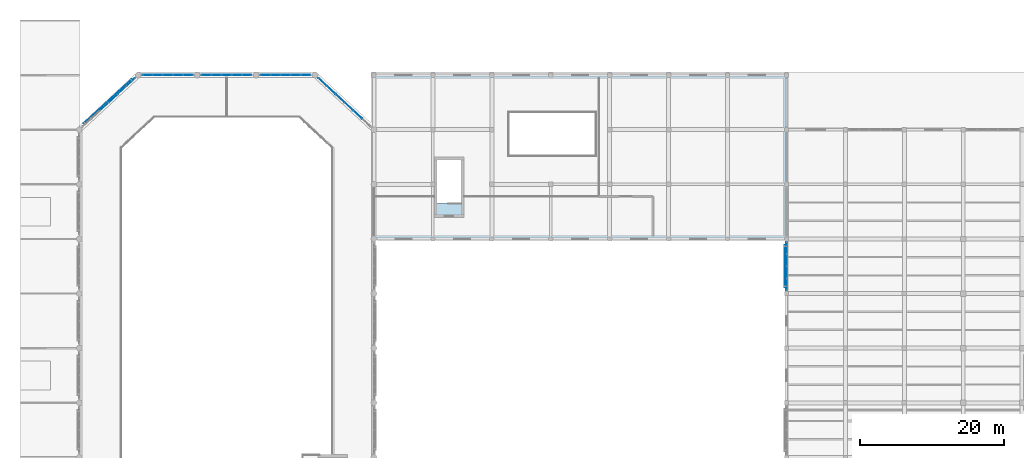
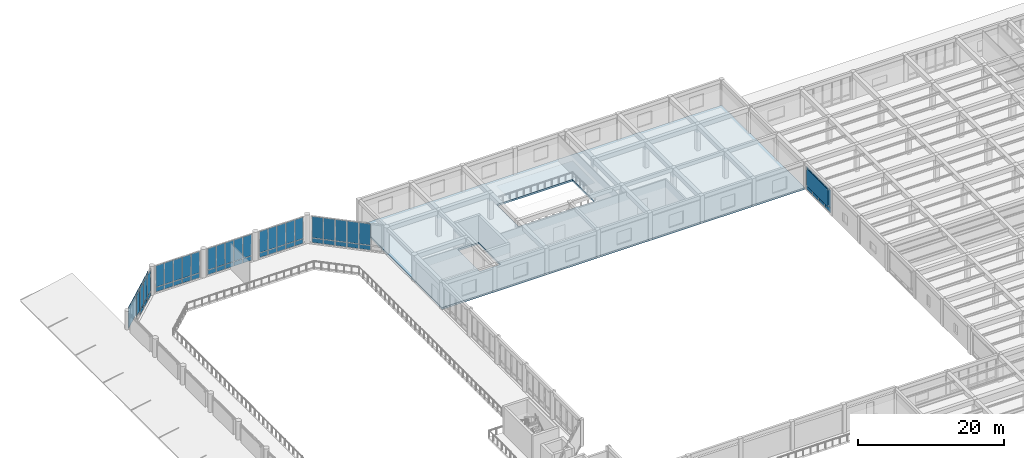
# One storey, part 32 of 57: 57 plates, 1 slab, 6 elements without a shape of their own.
"""IFC4 building model written with IfcOpenShell, lengths in metres."""

from ifc_helpers import new_model, si_unit, direction, frame, origin, origin_2d, place, context, subcontext, project, spatial, polyline, rectangle, outline, extrude, material, layer, layer_set, type_object, element, aggregate, save


model = new_model("IFC4")

# Units and contexts
model_context = context("Model", 3, precision=1e-05, world=origin(), true_north=direction((0.0, 1.0)))
body_context = subcontext(model_context, "Body", "Model", "MODEL_VIEW")
ifc_project = project(units=[si_unit("LENGTHUNIT", "METRE"), si_unit("AREAUNIT", "SQUARE_METRE"), si_unit("VOLUMEUNIT", "CUBIC_METRE"), si_unit("PLANEANGLEUNIT", "RADIAN"), si_unit("MASSUNIT", "GRAM", prefix="KILO")], contexts=[model_context])

# Site, building, storey
site_placement = place(None, origin())
site = spatial("IfcSite", under=ifc_project, at=site_placement, CompositionType="ELEMENT")
building_placement = place(site_placement, origin())
building = spatial("IfcBuilding", under=site, at=building_placement, Name="Qandaris Square Conservatory and Botanical Centre", CompositionType="ELEMENT")
storey_placement = place(building_placement, frame((0.0, 0.0, 5.39990234375)))
storey = spatial("IfcBuildingStorey", under=building, at=storey_placement, Name="L01", CompositionType="ELEMENT", Elevation=5.39990234375)

# Curtain wall, plates
ifc_material_1 = material(Name="Anodised Aluminium", Category="aluminium")
curtain_wall_type_1 = type_object("IfcCurtainWallType", Name="Unitised Curtain Wall CW-1-1002x452", PredefinedType="USERDEFINED", material=ifc_material_1)
curtain_wall_1_placement = place(storey_placement, origin())
curtain_wall_1 = element("IfcCurtainWall", 1, at=curtain_wall_1_placement, inside=storey, type_object=curtain_wall_type_1, Name="Curtain Wall CW-CON-L01-4-1", ObjectType="GLAZED CURTAIN WALL", PredefinedType="USERDEFINED")
ifc_material_2 = material(Name="Tempered Low-E Glass", Category="glass")
ifc_layer_1 = layer(ifc_material_2, 0.0400390625)
ifc_layer_set_1 = layer_set([ifc_layer_1], Name="Tempered Low-E Glass")
plate_type_1 = type_object("IfcPlateType", Name="Conservatory Laminated Low-Iron Biome Glass 40mm", PredefinedType="CURTAIN_PANEL", material=ifc_layer_set_1)
plate_1_placement = place(storey_placement, frame((54.937255859375, 109.897216796875, 0.0751953125), z_axis=(0.0, 0.0, 1.0), x_axis=(-0.733432966404, 0.679761784592, 0.0)))
plate_1 = element("IfcPlate", 2, at=plate_1_placement, type_object=plate_type_1, Name="CW-1-1002x452 panel 2.1", PredefinedType="CURTAIN_PANEL", context=body_context, shape_type="SweptSolid", body=[
    extrude(rectangle(XDim=1.594970703125, YDim=0.0400390625, at=origin_2d()), origin(), (0.0, 0.0, 1.0), 0.737548828125),
])
plate_2_placement = place(storey_placement, frame((54.937255859375, 109.897216796875, 0.887451171875), z_axis=(0.0, 0.0, 1.0), x_axis=(-0.733432966404, 0.679761784592, 0.0)))
plate_2 = element("IfcPlate", 3, at=plate_2_placement, type_object=plate_type_1, Name="CW-1-1002x452 panel 2.2", PredefinedType="CURTAIN_PANEL", context=body_context, shape_type="SweptSolid", body=[
    extrude(rectangle(XDim=1.594970703125, YDim=0.0400390625, at=origin_2d()), origin(), (0.0, 0.0, 1.0), 3.5576171875),
])
plate_3_placement = place(storey_placement, frame((53.71240234375, 111.032470703125, 0.0751953125), z_axis=(0.0, 0.0, 1.0), x_axis=(-0.733432966404, 0.679761784592, 0.0)))
plate_3 = element("IfcPlate", 4, at=plate_3_placement, type_object=plate_type_1, Name="CW-1-1002x452 panel 3.1", PredefinedType="CURTAIN_PANEL", context=body_context, shape_type="SweptSolid", body=[
    extrude(rectangle(XDim=1.594970703125, YDim=0.0400390625, at=origin_2d()), origin(), (0.0, 0.0, 1.0), 0.737548828125),
])
plate_4_placement = place(storey_placement, frame((53.71240234375, 111.032470703125, 0.887451171875), z_axis=(0.0, 0.0, 1.0), x_axis=(-0.733432966404, 0.679761784592, 0.0)))
plate_4 = element("IfcPlate", 5, at=plate_4_placement, type_object=plate_type_1, Name="CW-1-1002x452 panel 3.2", PredefinedType="CURTAIN_PANEL", context=body_context, shape_type="SweptSolid", body=[
    extrude(rectangle(XDim=1.594970703125, YDim=0.0400390625, at=origin_2d()), origin(), (0.0, 0.0, 1.0), 3.5576171875),
])
plate_5_placement = place(storey_placement, frame((52.487548828125, 112.167724609375, 0.0751953125), z_axis=(0.0, 0.0, 1.0), x_axis=(-0.733432966404, 0.679761784592, 0.0)))
plate_5 = element("IfcPlate", 6, at=plate_5_placement, type_object=plate_type_1, Name="CW-1-1002x452 panel 4.1", PredefinedType="CURTAIN_PANEL", context=body_context, shape_type="SweptSolid", body=[
    extrude(rectangle(XDim=1.594970703125, YDim=0.0400390625, at=origin_2d()), origin(), (0.0, 0.0, 1.0), 0.737548828125),
])
plate_6_placement = place(storey_placement, frame((52.487548828125, 112.167724609375, 0.887451171875), z_axis=(0.0, 0.0, 1.0), x_axis=(-0.733432966404, 0.679761784592, 0.0)))
plate_6 = element("IfcPlate", 7, at=plate_6_placement, type_object=plate_type_1, Name="CW-1-1002x452 panel 4.2", PredefinedType="CURTAIN_PANEL", context=body_context, shape_type="SweptSolid", body=[
    extrude(rectangle(XDim=1.594970703125, YDim=0.0400390625, at=origin_2d()), origin(), (0.0, 0.0, 1.0), 3.5576171875),
])
plate_7_placement = place(storey_placement, frame((51.2626953125, 113.302734375, 0.0751953125), z_axis=(0.0, 0.0, 1.0), x_axis=(-0.733432966404, 0.679761784592, 0.0)))
plate_7 = element("IfcPlate", 8, at=plate_7_placement, type_object=plate_type_1, Name="CW-1-1002x452 panel 5.1", PredefinedType="CURTAIN_PANEL", context=body_context, shape_type="SweptSolid", body=[
    extrude(rectangle(XDim=1.594970703125, YDim=0.0400390625, at=origin_2d()), origin(), (0.0, 0.0, 1.0), 0.737548828125),
])
plate_8_placement = place(storey_placement, frame((51.2626953125, 113.302734375, 0.887451171875), z_axis=(0.0, 0.0, 1.0), x_axis=(-0.733432966404, 0.679761784592, 0.0)))
plate_8 = element("IfcPlate", 9, at=plate_8_placement, type_object=plate_type_1, Name="CW-1-1002x452 panel 5.2", PredefinedType="CURTAIN_PANEL", context=body_context, shape_type="SweptSolid", body=[
    extrude(rectangle(XDim=1.594970703125, YDim=0.0400390625, at=origin_2d()), origin(), (0.0, 0.0, 1.0), 3.5576171875),
])
plate_9_placement = place(storey_placement, frame((50.051513671875, 114.42529296875, 0.0751953125), z_axis=(0.0, 0.0, 1.0), x_axis=(-0.733432966404, 0.679761784592, 0.0)))
plate_9 = element("IfcPlate", 10, at=plate_9_placement, type_object=plate_type_1, Name="CW-1-1002x452 panel 6.1", PredefinedType="CURTAIN_PANEL", context=body_context, shape_type="SweptSolid", body=[
    extrude(rectangle(XDim=1.5576171875, YDim=0.0400390625, at=origin_2d()), origin(), (0.0, 0.0, 1.0), 0.737548828125),
])
plate_10_placement = place(storey_placement, frame((50.051513671875, 114.42529296875, 0.887451171875), z_axis=(0.0, 0.0, 1.0), x_axis=(-0.733432966404, 0.679761784592, 0.0)))
plate_10 = element("IfcPlate", 11, at=plate_10_placement, type_object=plate_type_1, Name="CW-1-1002x452 panel 6.2", PredefinedType="CURTAIN_PANEL", context=body_context, shape_type="SweptSolid", body=[
    extrude(rectangle(XDim=1.5576171875, YDim=0.0400390625, at=origin_2d()), origin(), (0.0, 0.0, 1.0), 3.5576171875),
])
aggregate(curtain_wall_1, [plate_1, plate_2, plate_3, plate_4, plate_5, plate_6, plate_7, plate_8, plate_9, plate_10])

curtain_wall_type_2 = type_object("IfcCurtainWallType", Name="Unitised Curtain Wall CW-1-704x452", PredefinedType="USERDEFINED", material=ifc_material_1)
curtain_wall_2_placement = place(storey_placement, origin())
curtain_wall_2 = element("IfcCurtainWall", 12, at=curtain_wall_2_placement, inside=storey, type_object=curtain_wall_type_2, Name="Curtain Wall CW-CON-L01-5-1", ObjectType="GLAZED CURTAIN WALL", PredefinedType="USERDEFINED")
plate_11_placement = place(storey_placement, frame((47.697265625, 115.39990234375, 0.0751953125), z_axis=(0.0, 0.0, 1.0), x_axis=(-1.0, 0.0, 0.0)))
plate_11 = element("IfcPlate", 13, at=plate_11_placement, type_object=plate_type_1, Name="CW-1-704x452 panel 1.1", PredefinedType="CURTAIN_PANEL", context=body_context, shape_type="SweptSolid", body=[
    extrude(rectangle(XDim=1.29541015625, YDim=0.0400390625, at=origin_2d()), origin(), (0.0, 0.0, 1.0), 0.737548828125),
])
plate_12_placement = place(storey_placement, frame((47.697265625, 115.39990234375, 0.887451171875), z_axis=(0.0, 0.0, 1.0), x_axis=(-1.0, 0.0, 0.0)))
plate_12 = element("IfcPlate", 14, at=plate_12_placement, type_object=plate_type_1, Name="CW-1-704x452 panel 1.2", PredefinedType="CURTAIN_PANEL", context=body_context, shape_type="SweptSolid", body=[
    extrude(rectangle(XDim=1.29541015625, YDim=0.0400390625, at=origin_2d()), origin(), (0.0, 0.0, 1.0), 3.5576171875),
])
plate_13_placement = place(storey_placement, frame((46.30810546875, 115.39990234375, 0.0751953125), z_axis=(0.0, 0.0, 1.0), x_axis=(-1.0, 0.0, 0.0)))
plate_13 = element("IfcPlate", 15, at=plate_13_placement, type_object=plate_type_1, Name="CW-1-704x452 panel 2.1", PredefinedType="CURTAIN_PANEL", context=body_context, shape_type="SweptSolid", body=[
    extrude(rectangle(XDim=1.3330078125, YDim=0.0400390625, at=origin_2d()), origin(), (0.0, 0.0, 1.0), 0.737548828125),
])
plate_14_placement = place(storey_placement, frame((46.30810546875, 115.39990234375, 0.887451171875), z_axis=(0.0, 0.0, 1.0), x_axis=(-1.0, 0.0, 0.0)))
plate_14 = element("IfcPlate", 16, at=plate_14_placement, type_object=plate_type_1, Name="CW-1-704x452 panel 2.2", PredefinedType="CURTAIN_PANEL", context=body_context, shape_type="SweptSolid", body=[
    extrude(rectangle(XDim=1.3330078125, YDim=0.0400390625, at=origin_2d()), origin(), (0.0, 0.0, 1.0), 3.5576171875),
])
plate_15_placement = place(storey_placement, frame((44.89990234375, 115.39990234375, 0.0751953125), z_axis=(0.0, 0.0, 1.0), x_axis=(-1.0, 0.0, 0.0)))
plate_15 = element("IfcPlate", 17, at=plate_15_placement, type_object=plate_type_1, Name="CW-1-704x452 panel 3.1", PredefinedType="CURTAIN_PANEL", context=body_context, shape_type="SweptSolid", body=[
    extrude(rectangle(XDim=1.3330078125, YDim=0.0400390625, at=origin_2d()), origin(), (0.0, 0.0, 1.0), 0.737548828125),
])
plate_16_placement = place(storey_placement, frame((44.89990234375, 115.39990234375, 0.887451171875), z_axis=(0.0, 0.0, 1.0), x_axis=(-1.0, 0.0, 0.0)))
plate_16 = element("IfcPlate", 18, at=plate_16_placement, type_object=plate_type_1, Name="CW-1-704x452 panel 3.2", PredefinedType="CURTAIN_PANEL", context=body_context, shape_type="SweptSolid", body=[
    extrude(rectangle(XDim=1.3330078125, YDim=0.0400390625, at=origin_2d()), origin(), (0.0, 0.0, 1.0), 3.5576171875),
])
plate_17_placement = place(storey_placement, frame((43.491943359375, 115.39990234375, 0.0751953125), z_axis=(0.0, 0.0, 1.0), x_axis=(-1.0, 0.0, 0.0)))
plate_17 = element("IfcPlate", 19, at=plate_17_placement, type_object=plate_type_1, Name="CW-1-704x452 panel 4.1", PredefinedType="CURTAIN_PANEL", context=body_context, shape_type="SweptSolid", body=[
    extrude(rectangle(XDim=1.3330078125, YDim=0.0400390625, at=origin_2d()), origin(), (0.0, 0.0, 1.0), 0.737548828125),
])
plate_18_placement = place(storey_placement, frame((43.491943359375, 115.39990234375, 0.887451171875), z_axis=(0.0, 0.0, 1.0), x_axis=(-1.0, 0.0, 0.0)))
plate_18 = element("IfcPlate", 20, at=plate_18_placement, type_object=plate_type_1, Name="CW-1-704x452 panel 4.2", PredefinedType="CURTAIN_PANEL", context=body_context, shape_type="SweptSolid", body=[
    extrude(rectangle(XDim=1.3330078125, YDim=0.0400390625, at=origin_2d()), origin(), (0.0, 0.0, 1.0), 3.5576171875),
])
plate_19_placement = place(storey_placement, frame((42.102783203125, 115.39990234375, 0.0751953125), z_axis=(0.0, 0.0, 1.0), x_axis=(-1.0, 0.0, 0.0)))
plate_19 = element("IfcPlate", 21, at=plate_19_placement, type_object=plate_type_1, Name="CW-1-704x452 panel 5.1", PredefinedType="CURTAIN_PANEL", context=body_context, shape_type="SweptSolid", body=[
    extrude(rectangle(XDim=1.29541015625, YDim=0.0400390625, at=origin_2d()), origin(), (0.0, 0.0, 1.0), 0.737548828125),
])
plate_20_placement = place(storey_placement, frame((42.102783203125, 115.39990234375, 0.887451171875), z_axis=(0.0, 0.0, 1.0), x_axis=(-1.0, 0.0, 0.0)))
plate_20 = element("IfcPlate", 22, at=plate_20_placement, type_object=plate_type_1, Name="CW-1-704x452 panel 5.2", PredefinedType="CURTAIN_PANEL", context=body_context, shape_type="SweptSolid", body=[
    extrude(rectangle(XDim=1.29541015625, YDim=0.0400390625, at=origin_2d()), origin(), (0.0, 0.0, 1.0), 3.5576171875),
])
aggregate(curtain_wall_2, [plate_11, plate_12, plate_13, plate_14, plate_15, plate_16, plate_17, plate_18, plate_19, plate_20])

curtain_wall_3_placement = place(storey_placement, origin())
curtain_wall_3 = element("IfcCurtainWall", 23, at=curtain_wall_3_placement, inside=storey, type_object=curtain_wall_type_2, Name="Curtain Wall CW-CON-L01-5-2", ObjectType="GLAZED CURTAIN WALL", PredefinedType="USERDEFINED")
plate_21_placement = place(storey_placement, frame((39.497314453125, 115.39990234375, 0.0751953125), z_axis=(0.0, 0.0, 1.0), x_axis=(-1.0, 0.0, 0.0)))
plate_21 = element("IfcPlate", 24, at=plate_21_placement, type_object=plate_type_1, Name="CW-1-704x452 panel 1.1", PredefinedType="CURTAIN_PANEL", context=body_context, shape_type="SweptSolid", body=[
    extrude(rectangle(XDim=1.29541015625, YDim=0.0400390625, at=origin_2d()), origin(), (0.0, 0.0, 1.0), 0.737548828125),
])
plate_22_placement = place(storey_placement, frame((39.497314453125, 115.39990234375, 0.887451171875), z_axis=(0.0, 0.0, 1.0), x_axis=(-1.0, 0.0, 0.0)))
plate_22 = element("IfcPlate", 25, at=plate_22_placement, type_object=plate_type_1, Name="CW-1-704x452 panel 1.2", PredefinedType="CURTAIN_PANEL", context=body_context, shape_type="SweptSolid", body=[
    extrude(rectangle(XDim=1.29541015625, YDim=0.0400390625, at=origin_2d()), origin(), (0.0, 0.0, 1.0), 3.5576171875),
])
plate_23_placement = place(storey_placement, frame((38.10791015625, 115.39990234375, 0.0751953125), z_axis=(0.0, 0.0, 1.0), x_axis=(-1.0, 0.0, 0.0)))
plate_23 = element("IfcPlate", 26, at=plate_23_placement, type_object=plate_type_1, Name="CW-1-704x452 panel 2.1", PredefinedType="CURTAIN_PANEL", context=body_context, shape_type="SweptSolid", body=[
    extrude(rectangle(XDim=1.3330078125, YDim=0.0400390625, at=origin_2d()), origin(), (0.0, 0.0, 1.0), 0.737548828125),
])
plate_24_placement = place(storey_placement, frame((38.10791015625, 115.39990234375, 0.887451171875), z_axis=(0.0, 0.0, 1.0), x_axis=(-1.0, 0.0, 0.0)))
plate_24 = element("IfcPlate", 27, at=plate_24_placement, type_object=plate_type_1, Name="CW-1-704x452 panel 2.2", PredefinedType="CURTAIN_PANEL", context=body_context, shape_type="SweptSolid", body=[
    extrude(rectangle(XDim=1.3330078125, YDim=0.0400390625, at=origin_2d()), origin(), (0.0, 0.0, 1.0), 3.5576171875),
])
plate_25_placement = place(storey_placement, frame((36.699951171875, 115.39990234375, 0.0751953125), z_axis=(0.0, 0.0, 1.0), x_axis=(-1.0, 0.0, 0.0)))
plate_25 = element("IfcPlate", 28, at=plate_25_placement, type_object=plate_type_1, Name="CW-1-704x452 panel 3.1", PredefinedType="CURTAIN_PANEL", context=body_context, shape_type="SweptSolid", body=[
    extrude(rectangle(XDim=1.3330078125, YDim=0.0400390625, at=origin_2d()), origin(), (0.0, 0.0, 1.0), 0.737548828125),
])
plate_26_placement = place(storey_placement, frame((36.699951171875, 115.39990234375, 0.887451171875), z_axis=(0.0, 0.0, 1.0), x_axis=(-1.0, 0.0, 0.0)))
plate_26 = element("IfcPlate", 29, at=plate_26_placement, type_object=plate_type_1, Name="CW-1-704x452 panel 3.2", PredefinedType="CURTAIN_PANEL", context=body_context, shape_type="SweptSolid", body=[
    extrude(rectangle(XDim=1.3330078125, YDim=0.0400390625, at=origin_2d()), origin(), (0.0, 0.0, 1.0), 3.5576171875),
])
plate_27_placement = place(storey_placement, frame((35.2919921875, 115.39990234375, 0.0751953125), z_axis=(0.0, 0.0, 1.0), x_axis=(-1.0, 0.0, 0.0)))
plate_27 = element("IfcPlate", 30, at=plate_27_placement, type_object=plate_type_1, Name="CW-1-704x452 panel 4.1", PredefinedType="CURTAIN_PANEL", context=body_context, shape_type="SweptSolid", body=[
    extrude(rectangle(XDim=1.3330078125, YDim=0.0400390625, at=origin_2d()), origin(), (0.0, 0.0, 1.0), 0.737548828125),
])
plate_28_placement = place(storey_placement, frame((35.2919921875, 115.39990234375, 0.887451171875), z_axis=(0.0, 0.0, 1.0), x_axis=(-1.0, 0.0, 0.0)))
plate_28 = element("IfcPlate", 31, at=plate_28_placement, type_object=plate_type_1, Name="CW-1-704x452 panel 4.2", PredefinedType="CURTAIN_PANEL", context=body_context, shape_type="SweptSolid", body=[
    extrude(rectangle(XDim=1.3330078125, YDim=0.0400390625, at=origin_2d()), origin(), (0.0, 0.0, 1.0), 3.5576171875),
])
plate_29_placement = place(storey_placement, frame((33.90283203125, 115.39990234375, 0.0751953125), z_axis=(0.0, 0.0, 1.0), x_axis=(-1.0, 0.0, 0.0)))
plate_29 = element("IfcPlate", 32, at=plate_29_placement, type_object=plate_type_1, Name="CW-1-704x452 panel 5.1", PredefinedType="CURTAIN_PANEL", context=body_context, shape_type="SweptSolid", body=[
    extrude(rectangle(XDim=1.29541015625, YDim=0.0400390625, at=origin_2d()), origin(), (0.0, 0.0, 1.0), 0.737548828125),
])
plate_30_placement = place(storey_placement, frame((33.90283203125, 115.39990234375, 0.887451171875), z_axis=(0.0, 0.0, 1.0), x_axis=(-1.0, 0.0, 0.0)))
plate_30 = element("IfcPlate", 33, at=plate_30_placement, type_object=plate_type_1, Name="CW-1-704x452 panel 5.2", PredefinedType="CURTAIN_PANEL", context=body_context, shape_type="SweptSolid", body=[
    extrude(rectangle(XDim=1.29541015625, YDim=0.0400390625, at=origin_2d()), origin(), (0.0, 0.0, 1.0), 3.5576171875),
])
aggregate(curtain_wall_3, [plate_21, plate_22, plate_23, plate_24, plate_25, plate_26, plate_27, plate_28, plate_29, plate_30])

curtain_wall_4_placement = place(storey_placement, origin())
curtain_wall_4 = element("IfcCurtainWall", 34, at=curtain_wall_4_placement, inside=storey, type_object=curtain_wall_type_2, Name="Curtain Wall CW-CON-L01-5-3", ObjectType="GLAZED CURTAIN WALL", PredefinedType="USERDEFINED")
plate_31_placement = place(storey_placement, frame((31.29736328125, 115.39990234375, 0.0751953125), z_axis=(0.0, 0.0, 1.0), x_axis=(-1.0, 0.0, 0.0)))
plate_31 = element("IfcPlate", 35, at=plate_31_placement, type_object=plate_type_1, Name="CW-1-704x452 panel 1.1", PredefinedType="CURTAIN_PANEL", context=body_context, shape_type="SweptSolid", body=[
    extrude(rectangle(XDim=1.29541015625, YDim=0.0400390625, at=origin_2d()), origin(), (0.0, 0.0, 1.0), 0.737548828125),
])
plate_32_placement = place(storey_placement, frame((31.29736328125, 115.39990234375, 0.887451171875), z_axis=(0.0, 0.0, 1.0), x_axis=(-1.0, 0.0, 0.0)))
plate_32 = element("IfcPlate", 36, at=plate_32_placement, type_object=plate_type_1, Name="CW-1-704x452 panel 1.2", PredefinedType="CURTAIN_PANEL", context=body_context, shape_type="SweptSolid", body=[
    extrude(rectangle(XDim=1.29541015625, YDim=0.0400390625, at=origin_2d()), origin(), (0.0, 0.0, 1.0), 3.5576171875),
])
plate_33_placement = place(storey_placement, frame((29.907958984375, 115.39990234375, 0.0751953125), z_axis=(0.0, 0.0, 1.0), x_axis=(-1.0, 0.0, 0.0)))
plate_33 = element("IfcPlate", 37, at=plate_33_placement, type_object=plate_type_1, Name="CW-1-704x452 panel 2.1", PredefinedType="CURTAIN_PANEL", context=body_context, shape_type="SweptSolid", body=[
    extrude(rectangle(XDim=1.3330078125, YDim=0.0400390625, at=origin_2d()), origin(), (0.0, 0.0, 1.0), 0.737548828125),
])
plate_34_placement = place(storey_placement, frame((29.907958984375, 115.39990234375, 0.887451171875), z_axis=(0.0, 0.0, 1.0), x_axis=(-1.0, 0.0, 0.0)))
plate_34 = element("IfcPlate", 38, at=plate_34_placement, type_object=plate_type_1, Name="CW-1-704x452 panel 2.2", PredefinedType="CURTAIN_PANEL", context=body_context, shape_type="SweptSolid", body=[
    extrude(rectangle(XDim=1.3330078125, YDim=0.0400390625, at=origin_2d()), origin(), (0.0, 0.0, 1.0), 3.5576171875),
])
plate_35_placement = place(storey_placement, frame((28.5, 115.39990234375, 0.0751953125), z_axis=(0.0, 0.0, 1.0), x_axis=(-1.0, 0.0, 0.0)))
plate_35 = element("IfcPlate", 39, at=plate_35_placement, type_object=plate_type_1, Name="CW-1-704x452 panel 3.1", PredefinedType="CURTAIN_PANEL", context=body_context, shape_type="SweptSolid", body=[
    extrude(rectangle(XDim=1.3330078125, YDim=0.0400390625, at=origin_2d()), origin(), (0.0, 0.0, 1.0), 0.737548828125),
])
plate_36_placement = place(storey_placement, frame((28.5, 115.39990234375, 0.887451171875), z_axis=(0.0, 0.0, 1.0), x_axis=(-1.0, 0.0, 0.0)))
plate_36 = element("IfcPlate", 40, at=plate_36_placement, type_object=plate_type_1, Name="CW-1-704x452 panel 3.2", PredefinedType="CURTAIN_PANEL", context=body_context, shape_type="SweptSolid", body=[
    extrude(rectangle(XDim=1.3330078125, YDim=0.0400390625, at=origin_2d()), origin(), (0.0, 0.0, 1.0), 3.5576171875),
])
plate_37_placement = place(storey_placement, frame((27.092041015625, 115.39990234375, 0.0751953125), z_axis=(0.0, 0.0, 1.0), x_axis=(-1.0, 0.0, 0.0)))
plate_37 = element("IfcPlate", 41, at=plate_37_placement, type_object=plate_type_1, Name="CW-1-704x452 panel 4.1", PredefinedType="CURTAIN_PANEL", context=body_context, shape_type="SweptSolid", body=[
    extrude(rectangle(XDim=1.3330078125, YDim=0.0400390625, at=origin_2d()), origin(), (0.0, 0.0, 1.0), 0.737548828125),
])
plate_38_placement = place(storey_placement, frame((27.092041015625, 115.39990234375, 0.887451171875), z_axis=(0.0, 0.0, 1.0), x_axis=(-1.0, 0.0, 0.0)))
plate_38 = element("IfcPlate", 42, at=plate_38_placement, type_object=plate_type_1, Name="CW-1-704x452 panel 4.2", PredefinedType="CURTAIN_PANEL", context=body_context, shape_type="SweptSolid", body=[
    extrude(rectangle(XDim=1.3330078125, YDim=0.0400390625, at=origin_2d()), origin(), (0.0, 0.0, 1.0), 3.5576171875),
])
plate_39_placement = place(storey_placement, frame((25.70263671875, 115.39990234375, 0.0751953125), z_axis=(0.0, 0.0, 1.0), x_axis=(-1.0, 0.0, 0.0)))
plate_39 = element("IfcPlate", 43, at=plate_39_placement, type_object=plate_type_1, Name="CW-1-704x452 panel 5.1", PredefinedType="CURTAIN_PANEL", context=body_context, shape_type="SweptSolid", body=[
    extrude(rectangle(XDim=1.29541015625, YDim=0.0400390625, at=origin_2d()), origin(), (0.0, 0.0, 1.0), 0.737548828125),
])
plate_40_placement = place(storey_placement, frame((25.70263671875, 115.39990234375, 0.887451171875), z_axis=(0.0, 0.0, 1.0), x_axis=(-1.0, 0.0, 0.0)))
plate_40 = element("IfcPlate", 44, at=plate_40_placement, type_object=plate_type_1, Name="CW-1-704x452 panel 5.2", PredefinedType="CURTAIN_PANEL", context=body_context, shape_type="SweptSolid", body=[
    extrude(rectangle(XDim=1.29541015625, YDim=0.0400390625, at=origin_2d()), origin(), (0.0, 0.0, 1.0), 3.5576171875),
])
aggregate(curtain_wall_4, [plate_31, plate_32, plate_33, plate_34, plate_35, plate_36, plate_37, plate_38, plate_39, plate_40])

curtain_wall_5_placement = place(storey_placement, origin())
curtain_wall_5 = element("IfcCurtainWall", 45, at=curtain_wall_5_placement, inside=storey, type_object=curtain_wall_type_1, Name="Curtain Wall CW-CON-L01-6-1", ObjectType="GLAZED CURTAIN WALL", PredefinedType="USERDEFINED")
plate_41_placement = place(storey_placement, frame((23.348388671875, 114.42529296875, 0.0751953125), z_axis=(0.0, 0.0, 1.0), x_axis=(-0.733432966404, -0.679761784592, 0.0)))
plate_41 = element("IfcPlate", 46, at=plate_41_placement, type_object=plate_type_1, Name="CW-1-1002x452 panel 1.1", PredefinedType="CURTAIN_PANEL", context=body_context, shape_type="SweptSolid", body=[
    extrude(rectangle(XDim=1.5576171875, YDim=0.0400390625, at=origin_2d()), origin(), (0.0, 0.0, 1.0), 0.737548828125),
])
plate_42_placement = place(storey_placement, frame((23.348388671875, 114.42529296875, 0.887451171875), z_axis=(0.0, 0.0, 1.0), x_axis=(-0.733432966404, -0.679761784592, 0.0)))
plate_42 = element("IfcPlate", 47, at=plate_42_placement, type_object=plate_type_1, Name="CW-1-1002x452 panel 1.2", PredefinedType="CURTAIN_PANEL", context=body_context, shape_type="SweptSolid", body=[
    extrude(rectangle(XDim=1.5576171875, YDim=0.0400390625, at=origin_2d()), origin(), (0.0, 0.0, 1.0), 3.5576171875),
])
plate_43_placement = place(storey_placement, frame((22.13720703125, 113.302734375, 0.0751953125), z_axis=(0.0, 0.0, 1.0), x_axis=(-0.733432966404, -0.679761784592, 0.0)))
plate_43 = element("IfcPlate", 48, at=plate_43_placement, type_object=plate_type_1, Name="CW-1-1002x452 panel 2.1", PredefinedType="CURTAIN_PANEL", context=body_context, shape_type="SweptSolid", body=[
    extrude(rectangle(XDim=1.594970703125, YDim=0.0400390625, at=origin_2d()), origin(), (0.0, 0.0, 1.0), 0.737548828125),
])
plate_44_placement = place(storey_placement, frame((22.13720703125, 113.302734375, 0.887451171875), z_axis=(0.0, 0.0, 1.0), x_axis=(-0.733432966404, -0.679761784592, 0.0)))
plate_44 = element("IfcPlate", 49, at=plate_44_placement, type_object=plate_type_1, Name="CW-1-1002x452 panel 2.2", PredefinedType="CURTAIN_PANEL", context=body_context, shape_type="SweptSolid", body=[
    extrude(rectangle(XDim=1.594970703125, YDim=0.0400390625, at=origin_2d()), origin(), (0.0, 0.0, 1.0), 3.5576171875),
])
plate_45_placement = place(storey_placement, frame((20.912353515625, 112.167724609375, 0.0751953125), z_axis=(0.0, 0.0, 1.0), x_axis=(-0.733432966404, -0.679761784592, 0.0)))
plate_45 = element("IfcPlate", 50, at=plate_45_placement, type_object=plate_type_1, Name="CW-1-1002x452 panel 3.1", PredefinedType="CURTAIN_PANEL", context=body_context, shape_type="SweptSolid", body=[
    extrude(rectangle(XDim=1.594970703125, YDim=0.0400390625, at=origin_2d()), origin(), (0.0, 0.0, 1.0), 0.737548828125),
])
plate_46_placement = place(storey_placement, frame((20.912353515625, 112.167724609375, 0.887451171875), z_axis=(0.0, 0.0, 1.0), x_axis=(-0.733432966404, -0.679761784592, 0.0)))
plate_46 = element("IfcPlate", 51, at=plate_46_placement, type_object=plate_type_1, Name="CW-1-1002x452 panel 3.2", PredefinedType="CURTAIN_PANEL", context=body_context, shape_type="SweptSolid", body=[
    extrude(rectangle(XDim=1.594970703125, YDim=0.0400390625, at=origin_2d()), origin(), (0.0, 0.0, 1.0), 3.5576171875),
])
plate_47_placement = place(storey_placement, frame((19.6875, 111.032470703125, 0.887451171875), z_axis=(0.0, 0.0, 1.0), x_axis=(-0.733432966404, -0.679761784592, 0.0)))
plate_47 = element("IfcPlate", 52, at=plate_47_placement, type_object=plate_type_1, Name="CW-1-1002x452 panel 4.2", PredefinedType="CURTAIN_PANEL", context=body_context, shape_type="SweptSolid", body=[
    extrude(rectangle(XDim=1.594970703125, YDim=0.0400390625, at=origin_2d()), origin(), (0.0, 0.0, 1.0), 3.5576171875),
])
aggregate(curtain_wall_5, [plate_41, plate_42, plate_43, plate_44, plate_45, plate_46, plate_47])

curtain_wall_type_3 = type_object("IfcCurtainWallType", Name="Unitised Curtain Wall CW-4-680x392", PredefinedType="USERDEFINED", material=ifc_material_1)
curtain_wall_6_placement = place(storey_placement, origin())
curtain_wall_6 = element("IfcCurtainWall", 53, at=curtain_wall_6_placement, inside=storey, type_object=curtain_wall_type_3, Name="Curtain Wall CW-TWR-L01-4-3", ObjectType="GLAZED CURTAIN WALL", PredefinedType="USERDEFINED")
ifc_layer_2 = layer(ifc_material_2, 0.035888671875)
ifc_layer_set_2 = layer_set([ifc_layer_2], Name="Tempered Low-E Glass")
plate_type_2 = type_object("IfcPlateType", Name="Double-Glazed Solar Control Vision Unit 36mm", PredefinedType="CURTAIN_PANEL", material=ifc_layer_set_2)
plate_48_placement = place(storey_placement, frame((114.60009765625, 91.333740234375, 0.065185546875), z_axis=(0.0, 0.0, 1.0), x_axis=(0.0, -1.0, 0.0)))
plate_48 = element("IfcPlate", 54, at=plate_48_placement, type_object=plate_type_2, Name="CW-4-680x392 panel 1.1", PredefinedType="CURTAIN_PANEL", context=body_context, shape_type="SweptSolid", body=[
    extrude(rectangle(XDim=1.6025390625, YDim=0.035888671875, at=origin_2d()), origin(), (0.0, 0.0, 1.0), 0.75244140625),
])
plate_49_placement = place(storey_placement, frame((114.60009765625, 91.333740234375, 0.8828125), z_axis=(0.0, 0.0, 1.0), x_axis=(0.0, -1.0, 0.0)))
plate_49 = element("IfcPlate", 55, at=plate_49_placement, type_object=plate_type_2, Name="CW-4-680x392 panel 1.2", PredefinedType="CURTAIN_PANEL", context=body_context, shape_type="SweptSolid", body=[
    extrude(rectangle(XDim=1.6025390625, YDim=0.035888671875, at=origin_2d()), origin(), (0.0, 0.0, 1.0), 2.972412109375),
])
plate_50_placement = place(storey_placement, frame((114.60009765625, 89.64990234375, 0.065185546875), z_axis=(0.0, 0.0, 1.0), x_axis=(0.0, -1.0, 0.0)))
plate_50 = element("IfcPlate", 56, at=plate_50_placement, type_object=plate_type_2, Name="CW-4-680x392 panel 2.1", PredefinedType="CURTAIN_PANEL", context=body_context, shape_type="SweptSolid", body=[
    extrude(rectangle(XDim=1.635009765625, YDim=0.035888671875, at=origin_2d()), origin(), (0.0, 0.0, 1.0), 0.75244140625),
])
plate_51_placement = place(storey_placement, frame((114.60009765625, 89.64990234375, 0.8828125), z_axis=(0.0, 0.0, 1.0), x_axis=(0.0, -1.0, 0.0)))
plate_51 = element("IfcPlate", 57, at=plate_51_placement, type_object=plate_type_2, Name="CW-4-680x392 panel 2.2", PredefinedType="CURTAIN_PANEL", context=body_context, shape_type="SweptSolid", body=[
    extrude(rectangle(XDim=1.635009765625, YDim=0.035888671875, at=origin_2d()), origin(), (0.0, 0.0, 1.0), 2.972412109375),
])
plate_52_placement = place(storey_placement, frame((114.60009765625, 87.949951171875, 0.065185546875), z_axis=(0.0, 0.0, 1.0), x_axis=(0.0, -1.0, 0.0)))
plate_52 = element("IfcPlate", 58, at=plate_52_placement, type_object=plate_type_2, Name="CW-4-680x392 panel 3.1", PredefinedType="CURTAIN_PANEL", context=body_context, shape_type="SweptSolid", body=[
    extrude(rectangle(XDim=1.635009765625, YDim=0.035888671875, at=origin_2d()), origin(), (0.0, 0.0, 1.0), 0.75244140625),
])
plate_53_placement = place(storey_placement, frame((114.60009765625, 87.949951171875, 0.8828125), z_axis=(0.0, 0.0, 1.0), x_axis=(0.0, -1.0, 0.0)))
plate_53 = element("IfcPlate", 59, at=plate_53_placement, type_object=plate_type_2, Name="CW-4-680x392 panel 3.2", PredefinedType="CURTAIN_PANEL", context=body_context, shape_type="SweptSolid", body=[
    extrude(rectangle(XDim=1.635009765625, YDim=0.035888671875, at=origin_2d()), origin(), (0.0, 0.0, 1.0), 2.972412109375),
])
plate_54_placement = place(storey_placement, frame((114.60009765625, 86.266357421875, 0.065185546875), z_axis=(0.0, 0.0, 1.0), x_axis=(0.0, -1.0, 0.0)))
plate_54 = element("IfcPlate", 60, at=plate_54_placement, type_object=plate_type_2, Name="CW-4-680x392 panel 4.1", PredefinedType="CURTAIN_PANEL", context=body_context, shape_type="SweptSolid", body=[
    extrude(rectangle(XDim=1.6025390625, YDim=0.035888671875, at=origin_2d()), origin(), (0.0, 0.0, 1.0), 0.75244140625),
])
plate_55_placement = place(storey_placement, frame((114.60009765625, 86.266357421875, 0.8828125), z_axis=(0.0, 0.0, 1.0), x_axis=(0.0, -1.0, 0.0)))
plate_55 = element("IfcPlate", 61, at=plate_55_placement, type_object=plate_type_2, Name="CW-4-680x392 panel 4.2", PredefinedType="CURTAIN_PANEL", context=body_context, shape_type="SweptSolid", body=[
    extrude(rectangle(XDim=1.6025390625, YDim=0.035888671875, at=origin_2d()), origin(), (0.0, 0.0, 1.0), 2.972412109375),
])
aggregate(curtain_wall_6, [plate_48, plate_49, plate_50, plate_51, plate_52, plate_53, plate_54, plate_55])

# Plates
ifc_material_3 = material(Name="Weathering Bronze Alloy", Category="metal")
ifc_layer_3 = layer(ifc_material_3, 0.044921875)
ifc_layer_set_3 = layer_set([ifc_layer_3], Name="Weathering Bronze Alloy")
plate_type_3 = type_object("IfcPlateType", Name="Perforated Bronze Mashrabiya Solar Screen Panel", PredefinedType="USERDEFINED", material=ifc_layer_set_3)
plate_56_placement = place(storey_placement, frame((20.150390625, 111.761474609375, 0.8798828125), z_axis=(0.0, 0.0, 1.0), x_axis=(-0.733432966404, -0.679761784592, 0.0)))
element("IfcPlate", 62, at=plate_56_placement, inside=storey, type_object=plate_type_3, Name="Mashrabiya Solar Screen CW-CON-L01-6-1", ObjectType="SOLAR SCREEN", PredefinedType="USERDEFINED", context=body_context, shape_type="SweptSolid", body=[
    extrude(rectangle(XDim=9.060302734375, YDim=0.044921875, at=origin_2d()), origin(), (0.0, 0.0, 1.0), 3.550048828125),
])
plate_57_placement = place(storey_placement, frame((114.3798828125, 88.800048828125, 0.8798828125), z_axis=(0.0, 0.0, 1.0), x_axis=(0.0, -1.0, 0.0)))
element("IfcPlate", 63, at=plate_57_placement, inside=storey, type_object=plate_type_3, Name="Mashrabiya Solar Screen CW-TWR-L01-4-3", ObjectType="SOLAR SCREEN", PredefinedType="USERDEFINED", context=body_context, shape_type="SweptSolid", body=[
    extrude(rectangle(XDim=5.840087890625, YDim=0.044921875, at=origin_2d()), origin(), (0.0, 0.0, 1.0), 2.949951171875),
])

# Slab
ifc_material_4 = material(Name="Concrete C40/50", Category="concrete")
ifc_layer_4 = layer(ifc_material_4, 0.300048828125)
ifc_layer_set_4 = layer_set([ifc_layer_4], Name="Concrete C40/50")
slab_type = type_object("IfcSlabType", Name="RC Structural Slab 300mm", PredefinedType="FLOOR", material=ifc_layer_set_4)
slab_placement = place(storey_placement, frame((0.0, 0.0, -0.2998046875)))
element("IfcSlab", 64, at=slab_placement, inside=storey, type_object=slab_type, Name="L01 Structural Slab V3BL01", PredefinedType="FLOOR", context=body_context, shape_type="SweptSolid", body=[
    extrude(outline(polyline([(57.199951171875, 115.39990234375), (114.60009765625, 115.39990234375), (114.60009765625, 92.60009765625), (57.199951171875, 92.60009765625), (57.199951171875, 115.39990234375)]), holes=[polyline([(76.0, 110.199951171875), (76.0, 104.199951171875), (88.0, 104.199951171875), (88.0, 110.199951171875), (76.0, 110.199951171875)]), polyline([(66.0, 103.60009765625), (66.0, 97.550048828125), (69.300048828125, 97.550048828125), (69.300048828125, 103.60009765625), (66.0, 103.60009765625)])]), origin(), (0.0, 0.0, 1.0), 0.2998046875),
])

save(model, "model.ifc")
